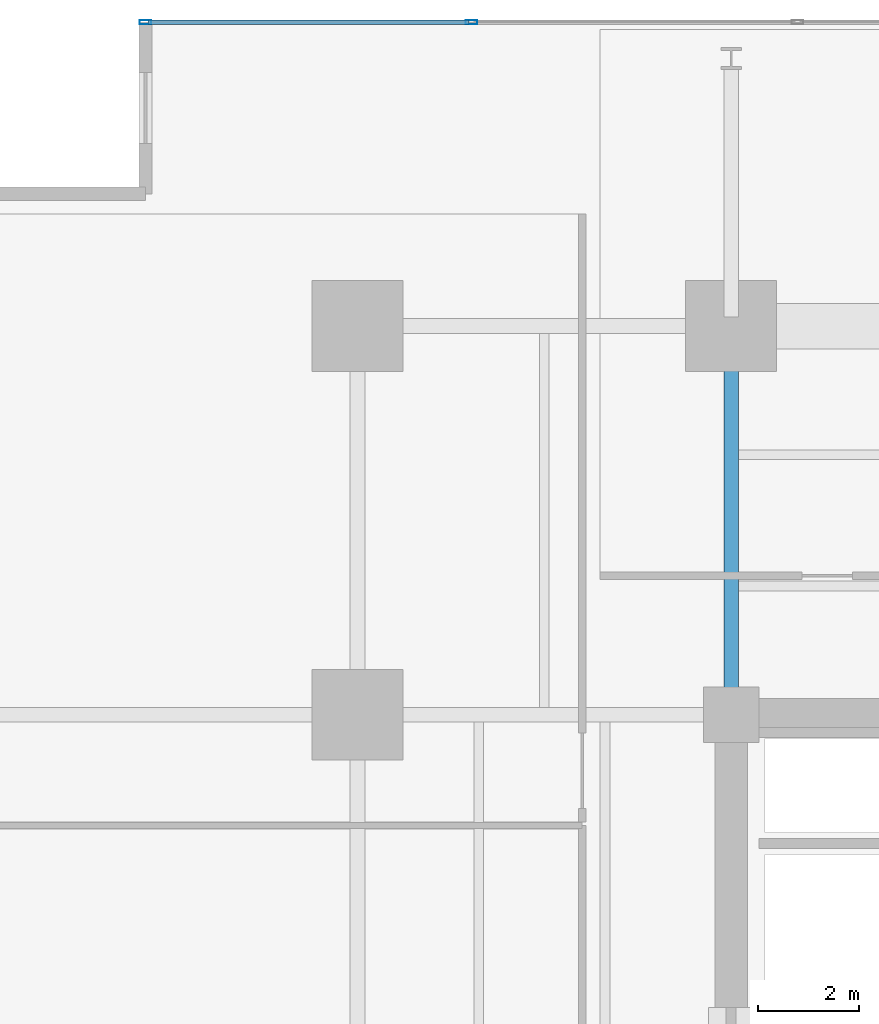
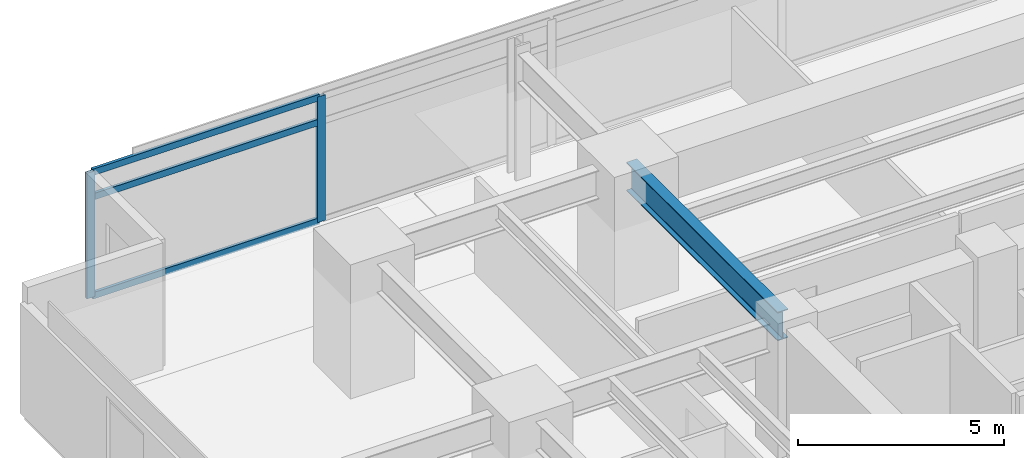
# One storey, part 9 of 22: 5 members, 1 beam, 1 element without a shape of its own.
"""IFC4 building model written with IfcOpenShell, lengths in metres."""

from ifc_helpers import new_model, si_unit, direction, frame, origin, origin_2d, place, context, subcontext, project, spatial, hollow_rectangle, i_section, extrude, material, material_profile, profile_set, type_object, element, aggregate, save


model = new_model("IFC4")

# Units and contexts
model_context = context("Model", 3, precision=1e-05, world=origin(), true_north=direction((0.0, 1.0)))
body_context = subcontext(model_context, "Body", "Model", "MODEL_VIEW")
ifc_project = project(units=[si_unit("LENGTHUNIT", "METRE"), si_unit("AREAUNIT", "SQUARE_METRE"), si_unit("VOLUMEUNIT", "CUBIC_METRE"), si_unit("PLANEANGLEUNIT", "RADIAN"), si_unit("MASSUNIT", "GRAM", prefix="KILO")], contexts=[model_context])

# Site, building, storey
site_placement = place(None, origin())
site = spatial("IfcSite", under=ifc_project, at=site_placement, CompositionType="ELEMENT")
building_placement = place(site_placement, origin())
building = spatial("IfcBuilding", under=site, at=building_placement, Name="Kovane Verandah Tower", CompositionType="ELEMENT")
storey_placement = place(building_placement, frame((0.0, 0.0, 99.60009765625)))
storey = spatial("IfcBuildingStorey", under=building, at=storey_placement, Name="L23", CompositionType="ELEMENT", Elevation=99.60009765625)

# Beam
ifc_material_1 = material(Name="Steel S355", Category="steel")
ifc_material_profile_1 = material_profile(ifc_material_1, i_section(OverallWidth=0.293701171875, OverallDepth=0.850830078125, WebThickness=0.01611328125, FlangeThickness=0.02685546875, FilletRadius=0.017822265625, at=origin_2d()), Name="UB838x292x226")
ifc_profile_set_1 = profile_set([ifc_material_profile_1], Name="Steel S355")
beam_type = type_object("IfcBeamType", Name="BM-UB838x226", PredefinedType="BEAM", material=ifc_profile_set_1)
beam_placement = place(storey_placement, frame((29.0, 36.679931640625, 3.33447265625), z_axis=(0.0, 1.0, 0.0), x_axis=(-1.0, 0.0, 0.0)))
element("IfcBeam", 1, at=beam_placement, inside=storey, type_object=beam_type, Name="L23 Primary Tower Girder G-N1", PredefinedType="BEAM", context=body_context, shape_type="SweptSolid", body=[
    extrude(i_section(OverallWidth=0.293701171875, OverallDepth=0.850830078125, WebThickness=0.01611328125, FlangeThickness=0.02685546875, FilletRadius=0.017822265625, at=origin_2d()), origin(), (0.0, 0.0, 1.0), 7.340087890625),
])

# Curtain wall, members
ifc_material_2 = material(Name="Champagne Anodised Aluminium Frame with Low-E Clear Laminated Glass", Category="aluminium")
curtain_wall_type = type_object("IfcCurtainWallType", Name="CW-SYS-02-LOW", PredefinedType="NOTDEFINED", material=ifc_material_2)
curtain_wall_placement = place(storey_placement, origin())
curtain_wall = element("IfcCurtainWall", 2, at=curtain_wall_placement, inside=storey, type_object=curtain_wall_type, Name="L23 N Unitised Curtain Wall", PredefinedType="NOTDEFINED")
ifc_material_3 = material(Name="Champagne Anodised Aluminium 6063-T6", Category="aluminium")
ifc_material_profile_2 = material_profile(ifc_material_3, hollow_rectangle(XDim=0.0849609375, YDim=0.22998046875, WallThickness=0.00390625, at=origin_2d()), Name="AL85x230x4")
ifc_profile_set_2 = profile_set([ifc_material_profile_2], Name="Champagne Anodised Aluminium 6063-T6")
member_type_1 = type_object("IfcMemberType", Name="CW-MUL-85x230", PredefinedType="MULLION", material=ifc_profile_set_2)
member_1_placement = place(storey_placement, frame((23.858154296875, 50.218994140625, 0.02001953125), z_axis=(0.0, 0.0, 1.0), x_axis=(0.0, 1.0, 0.0)))
member_1 = element("IfcMember", 3, at=member_1_placement, type_object=member_type_1, Name="L23 N Unitised Curtain Wall Mullion 7", PredefinedType="MULLION", context=body_context, shape_type="SweptSolid", body=[
    extrude(hollow_rectangle(XDim=0.0849609375, YDim=0.22998046875, WallThickness=0.00390625, at=origin_2d()), origin(), (0.0, 0.0, 1.0), 3.719970703125),
])
member_2_placement = place(storey_placement, frame((17.4013671875, 50.218994140625, 0.02001953125), z_axis=(0.0, 0.0, 1.0), x_axis=(0.0, 1.0, 0.0)))
member_2 = element("IfcMember", 4, at=member_2_placement, type_object=member_type_1, Name="L23 N Unitised Curtain Wall Mullion 8", PredefinedType="MULLION", context=body_context, shape_type="SweptSolid", body=[
    extrude(hollow_rectangle(XDim=0.0849609375, YDim=0.22998046875, WallThickness=0.00390625, at=origin_2d()), origin(), (0.0, 0.0, 1.0), 3.719970703125),
])
ifc_material_profile_3 = material_profile(ifc_material_3, hollow_rectangle(XDim=0.0849609375, YDim=0.18994140625, WallThickness=0.00390625, at=origin_2d()), Name="AL85x190x4")
ifc_profile_set_3 = profile_set([ifc_material_profile_3], Name="Champagne Anodised Aluminium 6063-T6")
member_type_2 = type_object("IfcMemberType", Name="CW-TRN-85x190", PredefinedType="USERDEFINED", material=ifc_profile_set_3)
member_3_placement = place(storey_placement, frame((23.80810546875, 50.218994140625, 0.0498046875), z_axis=(-1.0, 0.0, 0.0), x_axis=(0.0, -1.0, 0.0)))
member_3 = element("IfcMember", 5, at=member_3_placement, type_object=member_type_2, Name="L23 N Unitised Curtain Wall Transom TB Bay 7", ObjectType="TRANSOM", PredefinedType="USERDEFINED", context=body_context, shape_type="SweptSolid", body=[
    extrude(hollow_rectangle(XDim=0.0849609375, YDim=0.18994140625, WallThickness=0.00390625, at=origin_2d()), origin(), (0.0, 0.0, 1.0), 6.356689453125),
])
member_4_placement = place(storey_placement, frame((23.80810546875, 50.218994140625, 2.97998046875), z_axis=(-1.0, 0.0, 0.0), x_axis=(0.0, -1.0, 0.0)))
member_4 = element("IfcMember", 6, at=member_4_placement, type_object=member_type_2, Name="L23 N Unitised Curtain Wall Transom TM Bay 7", ObjectType="TRANSOM", PredefinedType="USERDEFINED", context=body_context, shape_type="SweptSolid", body=[
    extrude(hollow_rectangle(XDim=0.0849609375, YDim=0.18994140625, WallThickness=0.00390625, at=origin_2d()), origin(), (0.0, 0.0, 1.0), 6.356689453125),
])
member_5_placement = place(storey_placement, frame((23.80810546875, 50.218994140625, 3.7099609375), z_axis=(-1.0, 0.0, 0.0), x_axis=(0.0, -1.0, 0.0)))
member_5 = element("IfcMember", 7, at=member_5_placement, type_object=member_type_2, Name="L23 N Unitised Curtain Wall Transom TT Bay 7", ObjectType="TRANSOM", PredefinedType="USERDEFINED", context=body_context, shape_type="SweptSolid", body=[
    extrude(hollow_rectangle(XDim=0.0849609375, YDim=0.18994140625, WallThickness=0.00390625, at=origin_2d()), origin(), (0.0, 0.0, 1.0), 6.356689453125),
])
aggregate(curtain_wall, [member_1, member_2, member_3, member_4, member_5])

save(model, "model.ifc")
